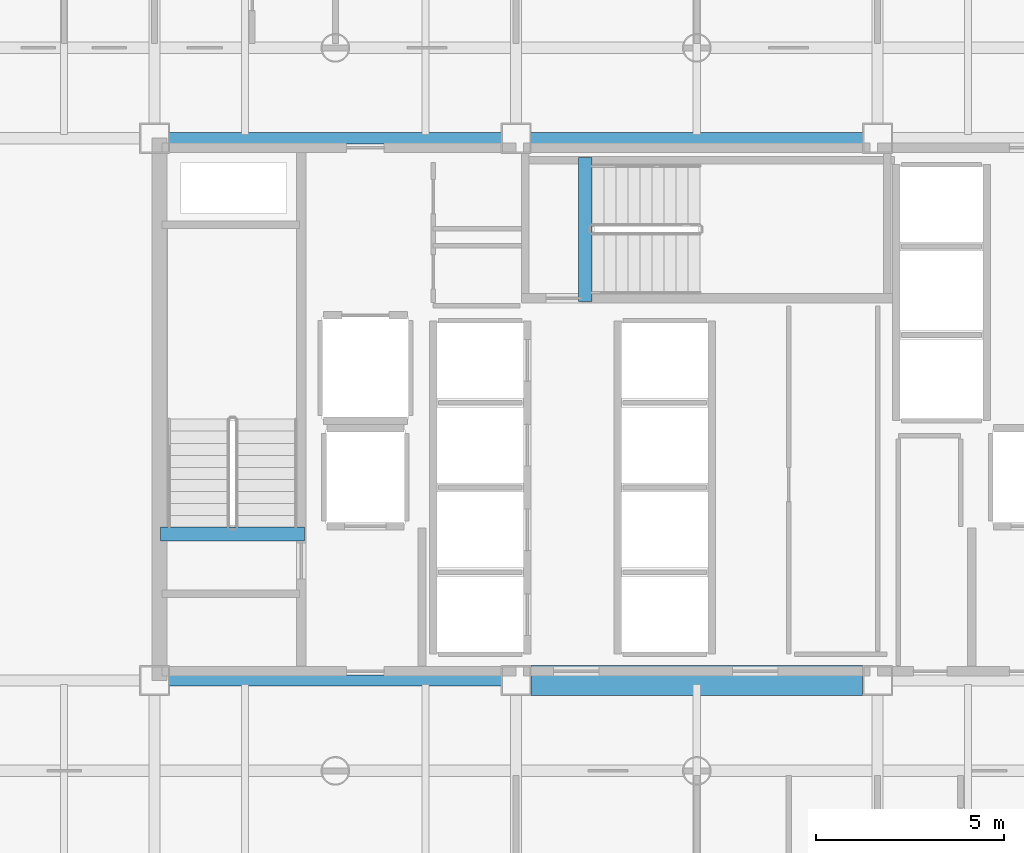
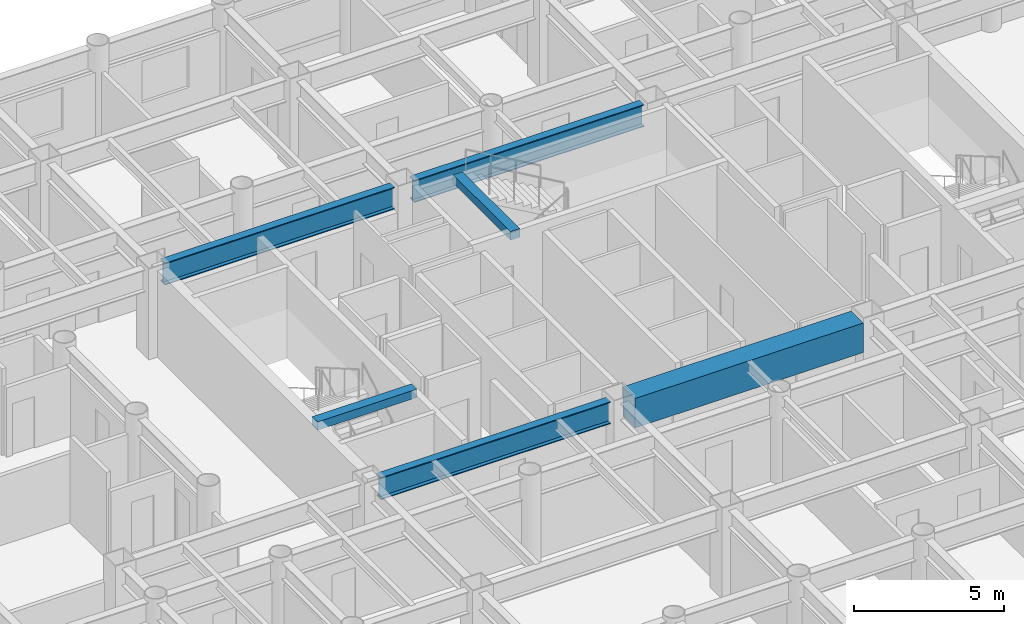
# One storey, part 5 of 20: 6 beams.
"""IFC4 building model written with IfcOpenShell, lengths in metres."""

from ifc_helpers import new_model, si_unit, direction, frame, origin, origin_2d, place, context, subcontext, project, spatial, rectangle, i_section, extrude, material, material_profile, profile_set, type_object, element, save


model = new_model("IFC4")

# Units and contexts
model_context = context("Model", 3, precision=1e-05, world=origin(), true_north=direction((0.0, 1.0)))
body_context = subcontext(model_context, "Body", "Model", "MODEL_VIEW")
ifc_project = project(units=[si_unit("LENGTHUNIT", "METRE"), si_unit("AREAUNIT", "SQUARE_METRE"), si_unit("VOLUMEUNIT", "CUBIC_METRE"), si_unit("PLANEANGLEUNIT", "RADIAN"), si_unit("MASSUNIT", "GRAM", prefix="KILO")], contexts=[model_context])

# Site, building, storey
site_placement = place(None, origin())
site = spatial("IfcSite", under=ifc_project, at=site_placement, CompositionType="ELEMENT")
building_placement = place(site_placement, origin())
building = spatial("IfcBuilding", under=site, at=building_placement, Name="Kallvorn Hotel Tower", CompositionType="ELEMENT")
storey_placement = place(building_placement, frame((0.0, 0.0, 74.39990234375)))
storey = spatial("IfcBuildingStorey", under=building, at=storey_placement, Name="L17", CompositionType="ELEMENT", Elevation=74.39990234375)

# Beams
ifc_material_1 = material(Name="Structural steel S355JR", Category="steel")
ifc_material_profile_1 = material_profile(ifc_material_1, i_section(OverallWidth=0.300048828125, OverallDepth=0.89990234375, WebThickness=0.0185546875, FlangeThickness=0.034912109375, at=origin_2d()), Name="HE 900 B")
ifc_profile_set_1 = profile_set([ifc_material_profile_1], Name="Structural steel S355JR")
beam_type_1 = type_object("IfcBeamType", Name="BM_HE900B", PredefinedType="BEAM", material=ifc_profile_set_1)
for number, where, z_axis, x_axis, name in (
    (1, (-14.02490234375, -7.199951171875, 3.070068359375), (1.0, 0.0, 0.0), (0.0, 1.0, 0.0), "L18 Primary X-Girder 34"),
    (2, (-14.02490234375, 7.199951171875, 3.070068359375), (1.0, 0.0, 0.0), (0.0, 1.0, 0.0), "L18 Primary X-Girder 38"),
):
    element("IfcBeam", number, at=place(storey_placement, frame(where, z_axis=z_axis, x_axis=x_axis)), inside=storey, type_object=beam_type_1, Name=name, PredefinedType="BEAM", context=body_context, shape_type="SweptSolid", body=[
        extrude(i_section(OverallWidth=0.300048828125, OverallDepth=0.89990234375, WebThickness=0.0185546875, FlangeThickness=0.034912109375, at=origin_2d()), origin(), (0.0, 0.0, 1.0), 8.849853515625),
    ])
beam_1_placement = place(storey_placement, frame((-4.425048828125, 7.199951171875, 3.070068359375), z_axis=(1.0, 0.0, 0.0), x_axis=(0.0, 1.0, 0.0)))
element("IfcBeam", 3, at=beam_1_placement, inside=storey, type_object=beam_type_1, Name="L18 Primary X-Girder 39", PredefinedType="BEAM", context=body_context, shape_type="SweptSolid", body=[
    extrude(i_section(OverallWidth=0.300048828125, OverallDepth=0.89990234375, WebThickness=0.0185546875, FlangeThickness=0.034912109375, at=origin_2d()), origin(), (0.0, 0.0, 1.0), 8.85009765625),
])
ifc_material_2 = material(Name="Concrete C50/60", Category="concrete")
ifc_material_profile_2 = material_profile(ifc_material_2, rectangle(XDim=0.360107421875, YDim=0.340087890625, at=origin_2d()), Name="RC 360x340")
ifc_profile_set_2 = profile_set([ifc_material_profile_2], Name="Concrete C50/60")
beam_type_2 = type_object("IfcBeamType", Name="BM_RC_400x360", PredefinedType="BEAM", material=ifc_profile_set_2)
beam_2_placement = place(storey_placement, frame((-10.419921875, -3.31005859375, 3.35009765625), z_axis=(-1.0, 0.0, 0.0), x_axis=(0.0, -1.0, 0.0)))
element("IfcBeam", 4, at=beam_2_placement, inside=storey, type_object=beam_type_2, Name="L18 Stair ST1 Arrival Trimmer Beam", PredefinedType="BEAM", context=body_context, shape_type="SweptSolid", body=[
    extrude(rectangle(XDim=0.360107421875, YDim=0.340087890625, at=origin_2d()), origin(), (0.0, 0.0, 1.0), 3.820068359375),
])
beam_3_placement = place(storey_placement, frame((-2.9599609375, 2.8701171875, 3.35009765625), z_axis=(0.0, 1.0, 0.0), x_axis=(-1.0, 0.0, 0.0)))
element("IfcBeam", 5, at=beam_3_placement, inside=storey, type_object=beam_type_2, Name="L18 Stair ST3 Arrival Trimmer Beam", PredefinedType="BEAM", context=body_context, shape_type="SweptSolid", body=[
    extrude(rectangle(XDim=0.360107421875, YDim=0.340087890625, at=origin_2d()), origin(), (0.0, 0.0, 1.0), 3.81982421875),
])
ifc_material_3 = material(Name="Concrete C50/60", Category="concrete")
ifc_material_profile_3 = material_profile(ifc_material_3, rectangle(XDim=0.800048828125, YDim=1.199951171875, at=origin_2d()), Name="RC 800x1200")
ifc_profile_set_3 = profile_set([ifc_material_profile_3], Name="Concrete C50/60")
beam_type_3 = type_object("IfcBeamType", Name="BM_RC_800x1200", PredefinedType="T_BEAM", material=ifc_profile_set_3)
beam_4_placement = place(storey_placement, frame((-4.39990234375, -7.199951171875, 2.920166015625), z_axis=(1.0, 0.0, 0.0), x_axis=(0.0, 1.0, 0.0)))
element("IfcBeam", 6, at=beam_4_placement, inside=storey, type_object=beam_type_3, Name="L17 Core Coupling Beam South", PredefinedType="T_BEAM", context=body_context, shape_type="SweptSolid", body=[
    extrude(rectangle(XDim=0.800048828125, YDim=1.199951171875, at=origin_2d()), origin(), (0.0, 0.0, 1.0), 8.7998046875),
])

save(model, "model.ifc")
